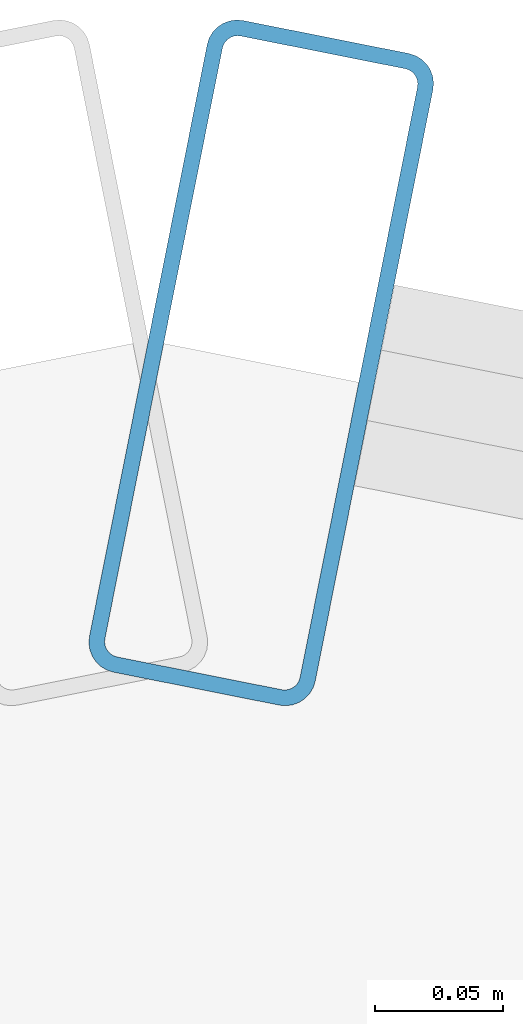
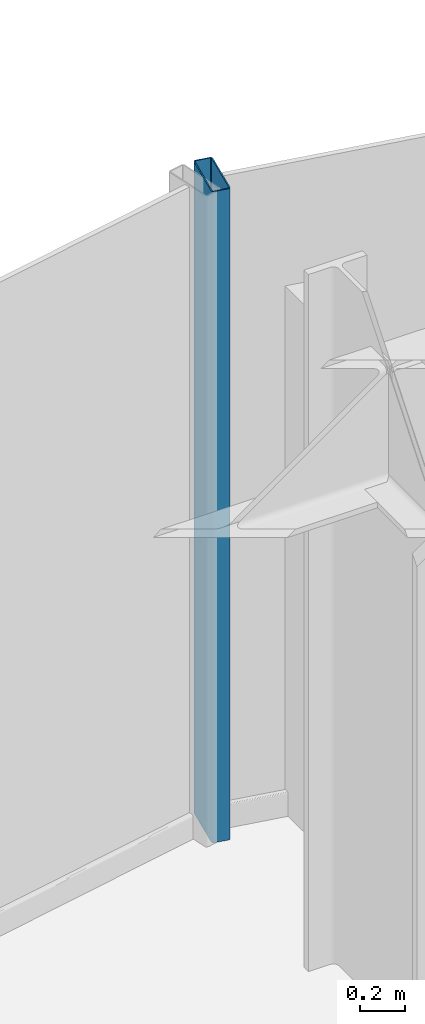
# One storey, part 15 of 26: 1 member, 1 element without a shape of its own.
"""IFC4 building model written with IfcOpenShell, lengths in metres."""

from ifc_helpers import new_model, si_unit, direction, frame, origin, origin_2d, place, context, subcontext, project, spatial, hollow_rectangle, extrude, source, transform, mapped, material, layer, layer_set, material_profile, profile_set, type_object, element, aggregate, save


model = new_model("IFC4")

# Units and contexts
model_context = context("Model", 3, precision=1e-05, world=origin(), true_north=direction((0.0, 1.0)))
body_context = subcontext(model_context, "Body", "Model", "MODEL_VIEW")
ifc_project = project(units=[si_unit("LENGTHUNIT", "METRE"), si_unit("AREAUNIT", "SQUARE_METRE"), si_unit("VOLUMEUNIT", "CUBIC_METRE"), si_unit("PLANEANGLEUNIT", "RADIAN"), si_unit("MASSUNIT", "GRAM", prefix="KILO")], contexts=[model_context])

# Site, building, storey
site_placement = place(None, origin())
site = spatial("IfcSite", under=ifc_project, at=site_placement, CompositionType="ELEMENT")
building_placement = place(site_placement, origin())
building = spatial("IfcBuilding", under=site, at=building_placement, Name="Nefas-Gora Pilgrimage Tower", CompositionType="ELEMENT")
storey_placement = place(building_placement, frame((0.0, 0.0, 121.199951171875)))
storey = spatial("IfcBuildingStorey", under=building, at=storey_placement, Name="L29", CompositionType="ELEMENT", Elevation=121.199951171875)

# Curtain wall, member
ifc_material_1 = material(Name="Dark ceramic-fritted solar-control aluminium-glass curtain wall", Category="aluminium")
ifc_layer = layer(ifc_material_1, 0.219970703125)
ifc_layer_set = layer_set([ifc_layer], Name="Dark ceramic-fritted solar-control aluminium-glass curtain wall")
curtain_wall_type = type_object("IfcCurtainWallType", Name="CW-SYS-5", PredefinedType="NOTDEFINED", material=ifc_layer_set)
curtain_wall_placement = place(storey_placement, origin())
curtain_wall = element("IfcCurtainWall", 1, at=curtain_wall_placement, inside=storey, type_object=curtain_wall_type, Name="L29 Unitised Curtain Wall CW5", PredefinedType="NOTDEFINED")
ifc_material_2 = material(Name="Anodised architectural aluminium", Category="aluminium")
ifc_material_profile = material_profile(ifc_material_2, hollow_rectangle(XDim=0.090087890625, YDim=0.260009765625, WallThickness=0.006103515625, InnerFilletRadius=0.006103515625, OuterFilletRadius=0.011962890625, at=origin_2d()), Name="ALU MULLION 90x260")
ifc_profile_set = profile_set([ifc_material_profile], Name="Anodised architectural aluminium")
member_type = type_object("IfcMemberType", Name="CWM-MUL-5", PredefinedType="MULLION", material=ifc_profile_set)
shared_shape = source(origin(), body_context, "Body", "SweptSolid", [
    extrude(hollow_rectangle(XDim=0.090087890625, YDim=0.260009765625, WallThickness=0.006103515625, InnerFilletRadius=0.006103515625, OuterFilletRadius=0.011962890625, at=origin_2d()), origin(), (0.0, 0.0, 1.0), 3.550048828125),
])
member_placement = place(storey_placement, frame((-2.205810546875, 24.16357421875, 0.0), z_axis=(0.0, 0.0, 1.0), x_axis=(-0.980782896852, 0.195102304554, 0.0)))
member = element("IfcMember", 2, at=member_placement, type_object=member_type, Name="CW5 Mullion 2", PredefinedType="MULLION", context=body_context, shape_type="MappedRepresentation", body=[
    mapped(shared_shape, transform((0.0, 0.0, 0.0), x_axis=(1.0, 0.0, 0.0), y_axis=(0.0, 1.0, 0.0), z_axis=(0.0, 0.0, 1.0), scale=1.0)),
])
aggregate(curtain_wall, [member])

save(model, "model.ifc")
